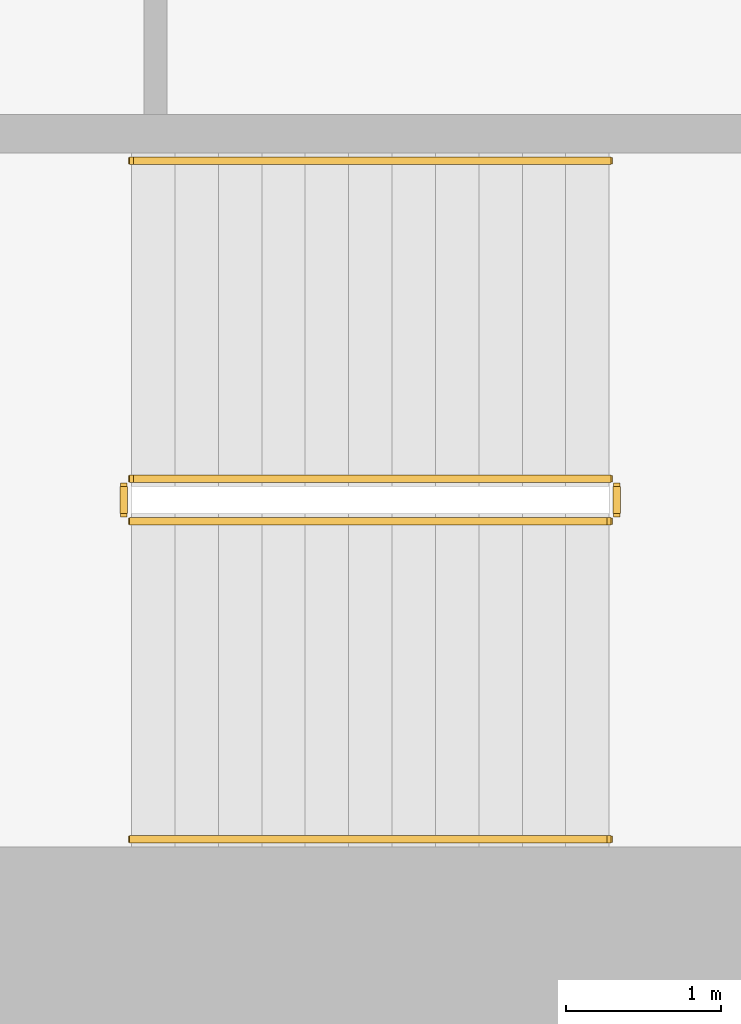
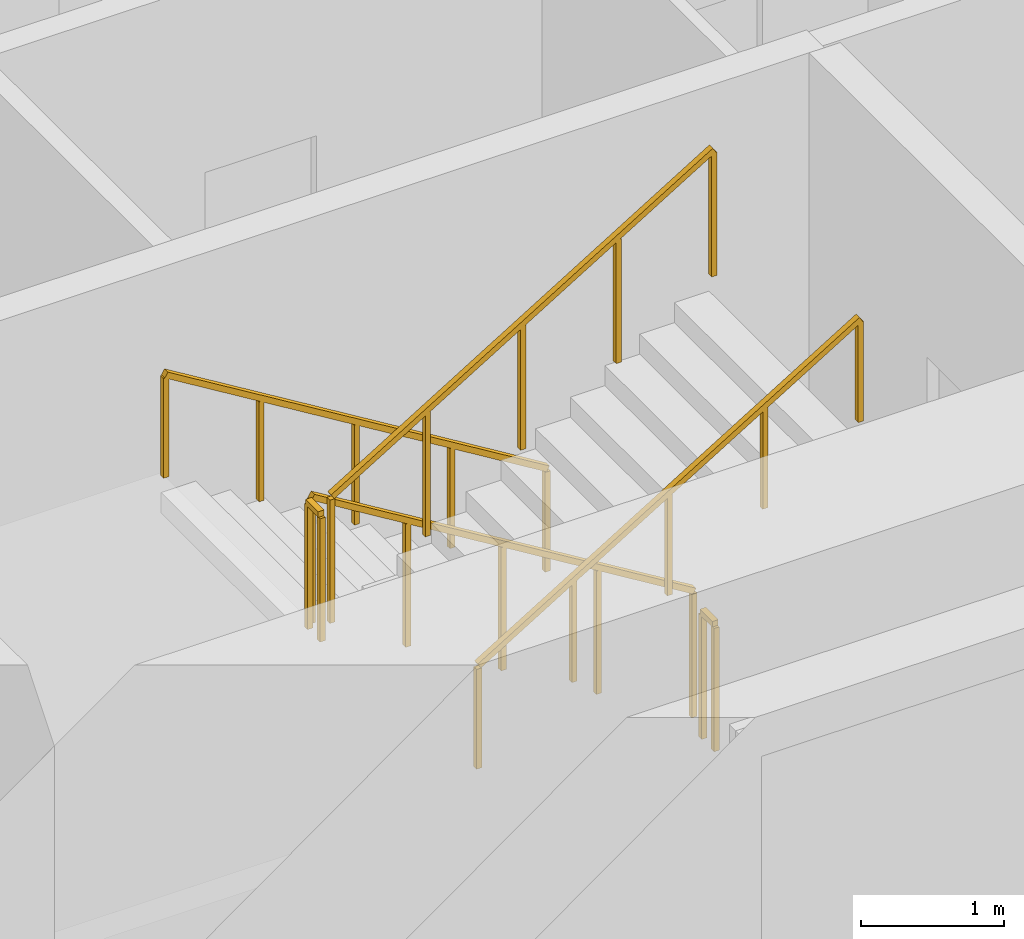
# One storey, part 9 of 14: 6 railings.
"""IFC4 building model written with IfcOpenShell, lengths in metres."""

from ifc_helpers import new_model, si_unit, direction, frame, origin, origin_2d, place, context, subcontext, project, spatial, rectangle, extrude, material, type_object, element, save


model = new_model("IFC4")

# Units and contexts
model_context = context("Model", 3, precision=1e-05, world=origin(), true_north=direction((0.0, 1.0)))
body_context = subcontext(model_context, "Body", "Model", "MODEL_VIEW")
ifc_project = project(units=[si_unit("LENGTHUNIT", "METRE"), si_unit("AREAUNIT", "SQUARE_METRE"), si_unit("VOLUMEUNIT", "CUBIC_METRE"), si_unit("PLANEANGLEUNIT", "RADIAN"), si_unit("MASSUNIT", "GRAM", prefix="KILO")], contexts=[model_context])

# Site, building, storey
site_placement = place(None, origin())
site = spatial("IfcSite", under=ifc_project, at=site_placement, CompositionType="ELEMENT")
building_placement = place(site_placement, origin())
building = spatial("IfcBuilding", under=site, at=building_placement, Name="Cypress Arch Tower", CompositionType="ELEMENT")
storey_placement = place(building_placement, frame((0.0, 0.0, 226.10009765625)))
storey = spatial("IfcBuildingStorey", under=building, at=storey_placement, Name="L50", CompositionType="ELEMENT", Elevation=226.10009765625)

# Railings
ifc_material_1 = material(Name="Black powder-coated steel square bar 48 mm", Category="steel")
railing_type_1 = type_object("IfcRailingType", Name="Stair handrail HR1", PredefinedType="HANDRAIL", material=ifc_material_1)
railing_1_placement = place(storey_placement, frame((-22.27490234375, -10.375, 0.170654296875)))
element("IfcRailing", 1, at=railing_1_placement, inside=storey, type_object=railing_type_1, Name="L50 A stair handrail 1", PredefinedType="HANDRAIL", context=body_context, shape_type="SweptSolid", body=[
    extrude(rectangle(XDim=0.048095703125, YDim=0.048095703125, at=origin_2d()), frame((0.0, 0.0, 0.8759765625), z_axis=(-0.853666305674, 0.0, 0.52082035152), x_axis=(0.0, -1.0, 0.0)), (0.0, 0.0, 1.0), 3.608154296875),
    extrude(rectangle(XDim=0.0419921875, YDim=0.0419921875, at=origin_2d()), origin(), (0.0, 0.0, 1.0), 0.851806640625),
    extrude(rectangle(XDim=0.0419921875, YDim=0.0419921875, at=origin_2d()), frame((-0.77001953125, 0.0, 0.4697265625)), (0.0, 0.0, 1.0), 0.851806640625),
    extrude(rectangle(XDim=0.0419921875, YDim=0.0419921875, at=origin_2d()), frame((-1.5400390625, 0.0, 0.939453125)), (0.0, 0.0, 1.0), 0.851806640625),
    extrude(rectangle(XDim=0.0419921875, YDim=0.0419921875, at=origin_2d()), frame((-2.31005859375, 0.0, 1.409423828125)), (0.0, 0.0, 1.0), 0.851806640625),
    extrude(rectangle(XDim=0.0419921875, YDim=0.0419921875, at=origin_2d()), frame((-3.080078125, 0.0, 1.879150390625)), (0.0, 0.0, 1.0), 0.851806640625),
])
railing_2_placement = place(storey_placement, frame((-25.35498046875, -14.75, 2.220703125)))
element("IfcRailing", 2, at=railing_2_placement, inside=storey, type_object=railing_type_1, Name="L50 A stair handrail 2", PredefinedType="HANDRAIL", context=body_context, shape_type="SweptSolid", body=[
    extrude(rectangle(XDim=0.048095703125, YDim=0.048095703125, at=origin_2d()), frame((0.0, 0.0, 0.8759765625), z_axis=(0.853666305674, 0.0, 0.52082035152), x_axis=(0.0, 1.0, 0.0)), (0.0, 0.0, 1.0), 3.608154296875),
    extrude(rectangle(XDim=0.0419921875, YDim=0.0419921875, at=origin_2d()), origin(), (0.0, 0.0, 1.0), 0.851806640625),
    extrude(rectangle(XDim=0.0419921875, YDim=0.0419921875, at=origin_2d()), frame((0.77001953125, 0.0, 0.4697265625)), (0.0, 0.0, 1.0), 0.851806640625),
    extrude(rectangle(XDim=0.0419921875, YDim=0.0419921875, at=origin_2d()), frame((1.5400390625, 0.0, 0.939453125)), (0.0, 0.0, 1.0), 0.851806640625),
    extrude(rectangle(XDim=0.0419921875, YDim=0.0419921875, at=origin_2d()), frame((2.31005859375, 0.0, 1.409423828125)), (0.0, 0.0, 1.0), 0.851806640625),
    extrude(rectangle(XDim=0.0419921875, YDim=0.0419921875, at=origin_2d()), frame((3.080078125, 0.0, 1.879150390625)), (0.0, 0.0, 1.0), 0.851806640625),
])
ifc_material_2 = material(Name="Black powder-coated steel balusters", Category="steel")
railing_type_2 = type_object("IfcRailingType", Name="Stair well guard G1", PredefinedType="GUARDRAIL", material=ifc_material_2)
railing_3_placement = place(storey_placement, frame((-22.27490234375, -12.425048828125, 0.170654296875)))
element("IfcRailing", 3, at=railing_3_placement, inside=storey, type_object=railing_type_2, Name="L50 A stair guard 1", PredefinedType="GUARDRAIL", context=body_context, shape_type="SweptSolid", body=[
    extrude(rectangle(XDim=0.048095703125, YDim=0.048095703125, at=origin_2d()), frame((0.0, 0.0, 1.076171875), z_axis=(-0.853666305674, 0.0, 0.52082035152), x_axis=(0.0, -1.0, 0.0)), (0.0, 0.0, 1.0), 3.608154296875),
    extrude(rectangle(XDim=0.0419921875, YDim=0.0419921875, at=origin_2d()), origin(), (0.0, 0.0, 1.0), 1.052001953125),
    extrude(rectangle(XDim=0.0419921875, YDim=0.0419921875, at=origin_2d()), frame((-0.77001953125, 0.0, 0.4697265625)), (0.0, 0.0, 1.0), 1.052001953125),
    extrude(rectangle(XDim=0.0419921875, YDim=0.0419921875, at=origin_2d()), frame((-1.5400390625, 0.0, 0.939453125)), (0.0, 0.0, 1.0), 1.052001953125),
    extrude(rectangle(XDim=0.0419921875, YDim=0.0419921875, at=origin_2d()), frame((-2.31005859375, 0.0, 1.409423828125)), (0.0, 0.0, 1.0), 1.052001953125),
    extrude(rectangle(XDim=0.0419921875, YDim=0.0419921875, at=origin_2d()), frame((-3.080078125, 0.0, 1.879150390625)), (0.0, 0.0, 1.0), 1.052001953125),
])
railing_4_placement = place(storey_placement, frame((-25.405029296875, -12.47509765625, 2.0498046875)))
element("IfcRailing", 4, at=railing_4_placement, inside=storey, type_object=railing_type_2, Name="L50 A stair guard 2", PredefinedType="GUARDRAIL", context=body_context, shape_type="SweptSolid", body=[
    extrude(rectangle(XDim=0.048095703125, YDim=0.048095703125, at=origin_2d()), frame((0.0, 0.0, 1.076171875), z_axis=(0.0, -1.0, 0.0), x_axis=(1.0, 0.0, 0.0)), (0.0, 0.0, 1.0), 0.1748046875),
    extrude(rectangle(XDim=0.0419921875, YDim=0.0419921875, at=origin_2d()), origin(), (0.0, 0.0, 1.0), 1.052001953125),
    extrude(rectangle(XDim=0.0419921875, YDim=0.0419921875, at=origin_2d()), frame((0.0, -0.1748046875, 0.0)), (0.0, 0.0, 1.0), 1.052001953125),
])
railing_5_placement = place(storey_placement, frame((-25.35498046875, -12.699951171875, 2.220703125)))
element("IfcRailing", 5, at=railing_5_placement, inside=storey, type_object=railing_type_2, Name="L50 A stair guard 3", PredefinedType="GUARDRAIL", context=body_context, shape_type="SweptSolid", body=[
    extrude(rectangle(XDim=0.048095703125, YDim=0.048095703125, at=origin_2d()), frame((0.0, 0.0, 1.076171875), z_axis=(0.853666305674, 0.0, 0.52082035152), x_axis=(0.0, 1.0, 0.0)), (0.0, 0.0, 1.0), 3.608154296875),
    extrude(rectangle(XDim=0.0419921875, YDim=0.0419921875, at=origin_2d()), origin(), (0.0, 0.0, 1.0), 1.052001953125),
    extrude(rectangle(XDim=0.0419921875, YDim=0.0419921875, at=origin_2d()), frame((0.77001953125, 0.0, 0.4697265625)), (0.0, 0.0, 1.0), 1.052001953125),
    extrude(rectangle(XDim=0.0419921875, YDim=0.0419921875, at=origin_2d()), frame((1.5400390625, 0.0, 0.939453125)), (0.0, 0.0, 1.0), 1.052001953125),
    extrude(rectangle(XDim=0.0419921875, YDim=0.0419921875, at=origin_2d()), frame((2.31005859375, 0.0, 1.409423828125)), (0.0, 0.0, 1.0), 1.052001953125),
    extrude(rectangle(XDim=0.0419921875, YDim=0.0419921875, at=origin_2d()), frame((3.080078125, 0.0, 1.879150390625)), (0.0, 0.0, 1.0), 1.052001953125),
])
railing_6_placement = place(storey_placement, frame((-22.22509765625, -12.47509765625, 0.0)))
element("IfcRailing", 6, at=railing_6_placement, inside=storey, type_object=railing_type_2, Name="L50 A stair guard 4", PredefinedType="GUARDRAIL", context=body_context, shape_type="SweptSolid", body=[
    extrude(rectangle(XDim=0.048095703125, YDim=0.048095703125, at=origin_2d()), frame((0.0, 0.0, 1.076171875), z_axis=(0.0, -1.0, 0.0), x_axis=(1.0, 0.0, 0.0)), (0.0, 0.0, 1.0), 0.1748046875),
    extrude(rectangle(XDim=0.0419921875, YDim=0.0419921875, at=origin_2d()), origin(), (0.0, 0.0, 1.0), 1.052001953125),
    extrude(rectangle(XDim=0.0419921875, YDim=0.0419921875, at=origin_2d()), frame((0.0, -0.1748046875, 0.0)), (0.0, 0.0, 1.0), 1.052001953125),
])

save(model, "model.ifc")
